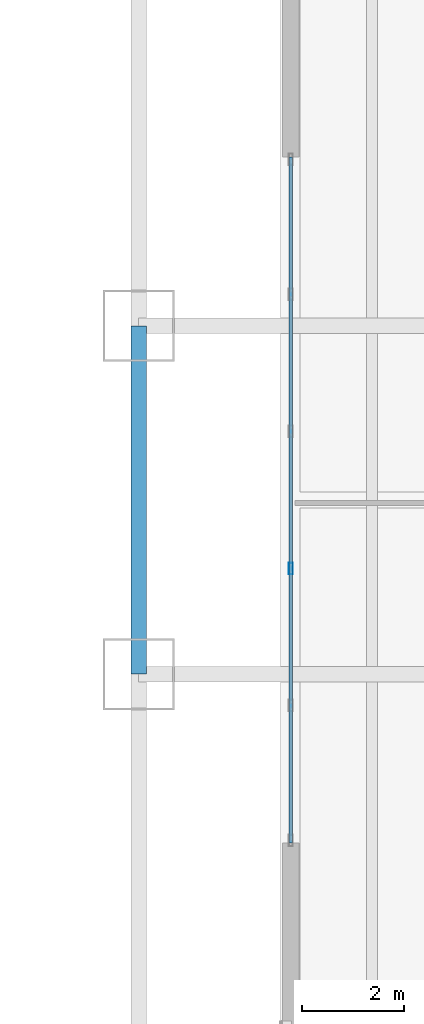
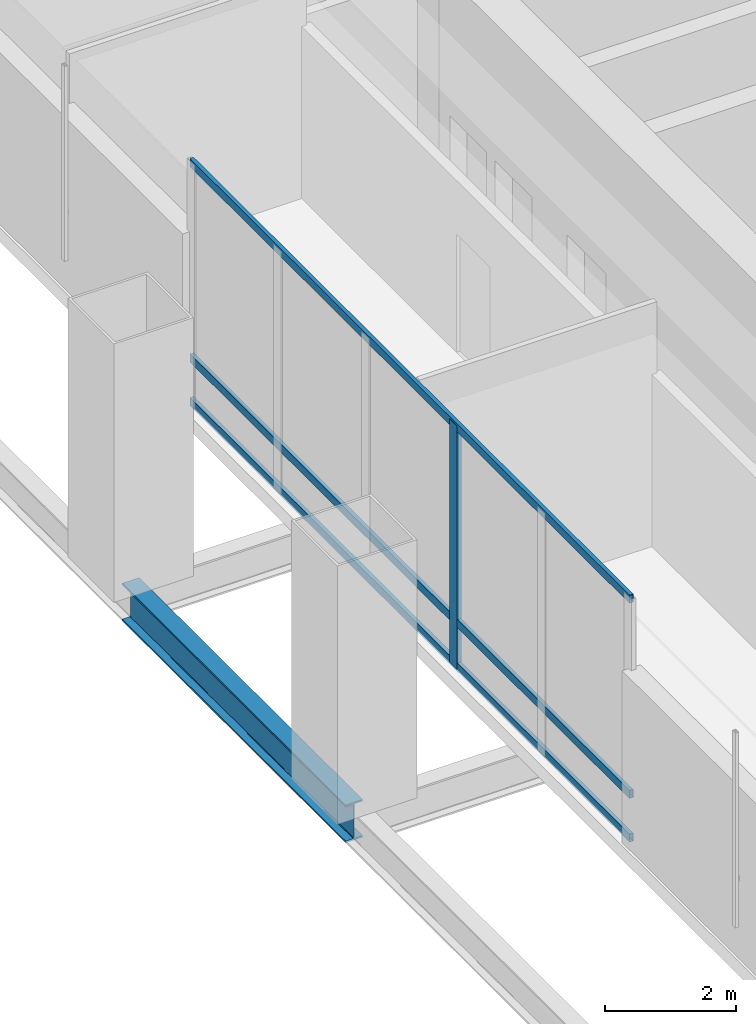
# One storey, part 6 of 30: 4 members, 1 beam, 1 element without a shape of its own.
"""IFC4 building model written with IfcOpenShell, lengths in metres."""

from ifc_helpers import new_model, si_unit, direction, frame, origin, origin_2d, place, context, subcontext, project, spatial, hollow_rectangle, i_section, extrude, material, material_profile, profile_set, type_object, element, aggregate, save


model = new_model("IFC4")

# Units and contexts
model_context = context("Model", 3, precision=1e-05, world=origin(), true_north=direction((0.0, 1.0)))
body_context = subcontext(model_context, "Body", "Model", "MODEL_VIEW")
ifc_project = project(units=[si_unit("LENGTHUNIT", "METRE"), si_unit("AREAUNIT", "SQUARE_METRE"), si_unit("VOLUMEUNIT", "CUBIC_METRE"), si_unit("PLANEANGLEUNIT", "RADIAN"), si_unit("MASSUNIT", "GRAM", prefix="KILO")], contexts=[model_context])

# Site, building, storey
site_placement = place(None, origin())
site = spatial("IfcSite", under=ifc_project, at=site_placement, CompositionType="ELEMENT")
building_placement = place(site_placement, origin())
building = spatial("IfcBuilding", under=site, at=building_placement, Name="Punatoya Terracotta Tower", CompositionType="ELEMENT")
storey_placement = place(building_placement, frame((0.0, 0.0, 135.0)))
storey = spatial("IfcBuildingStorey", under=building, at=storey_placement, Name="L31", CompositionType="ELEMENT", Elevation=135.0)

# Beam
ifc_material_1 = material(Name="Steel S355", Category="steel")
ifc_material_profile_1 = material_profile(ifc_material_1, i_section(OverallWidth=0.300048828125, OverallDepth=0.699951171875, WebThickness=0.01708984375, FlangeThickness=0.031982421875, FilletRadius=0.01806640625, at=origin_2d()))
ifc_profile_set_1 = profile_set([ifc_material_profile_1], Name="Steel S355")
beam_type = type_object("IfcBeamType", Name="BM-PRI-700", PredefinedType="BEAM", material=ifc_profile_set_1)
beam_placement = place(storey_placement, frame((-19.10009765625, -3.39990234375, -0.610107421875), z_axis=(0.0, 1.0, 0.0), x_axis=(-1.0, 0.0, 0.0)))
element("IfcBeam", 1, at=beam_placement, inside=storey, type_object=beam_type, Name="BM-L31-RG-W2", PredefinedType="BEAM", context=body_context, shape_type="SweptSolid", body=[
    extrude(i_section(OverallWidth=0.300048828125, OverallDepth=0.699951171875, WebThickness=0.01708984375, FlangeThickness=0.031982421875, FilletRadius=0.01806640625, at=origin_2d()), origin(), (0.0, 0.0, 1.0), 6.7998046875),
])

# Curtain wall, members
ifc_material_2 = material(Name="Aluminium 6063-T6 + Double Low-E Glass", Category="aluminium")
curtain_wall_type = type_object("IfcCurtainWallType", Name="CW-NCK", PredefinedType="NOTDEFINED", material=ifc_material_2)
curtain_wall_placement = place(storey_placement, origin())
curtain_wall = element("IfcCurtainWall", 2, at=curtain_wall_placement, inside=storey, type_object=curtain_wall_type, Name="L31 Curtain Wall CW-L31-W13-1", PredefinedType="NOTDEFINED")
ifc_material_3 = material(Name="Aluminium 6063-T6", Category="aluminium")
ifc_material_profile_2 = material_profile(ifc_material_3, hollow_rectangle(XDim=0.080078125, YDim=0.22509765625, WallThickness=0.0048828125, at=origin_2d()))
ifc_profile_set_2 = profile_set([ifc_material_profile_2], Name="Aluminium 6063-T6")
member_type_1 = type_object("IfcMemberType", Name="CW-MUL-NCK", PredefinedType="MULLION", material=ifc_profile_set_2)
member_1_placement = place(storey_placement, frame((-16.1298828125, -1.337890625, 0.0), z_axis=(0.0, 0.0, 1.0), x_axis=(1.0, 0.0, 0.0)))
member_1 = element("IfcMember", 3, at=member_1_placement, type_object=member_type_1, Name="CW-L31-W13-1 Mullion 03", PredefinedType="MULLION", context=body_context, shape_type="SweptSolid", body=[
    extrude(hollow_rectangle(XDim=0.080078125, YDim=0.22509765625, WallThickness=0.0048828125, at=origin_2d()), origin(), (0.0, 0.0, 1.0), 4.52001953125),
])
ifc_material_profile_3 = material_profile(ifc_material_3, hollow_rectangle(XDim=0.068115234375, YDim=0.14990234375, WallThickness=0.00390625, at=origin_2d()))
ifc_profile_set_3 = profile_set([ifc_material_profile_3], Name="Aluminium 6063-T6")
member_type_2 = type_object("IfcMemberType", Name="CW-TRN-TYP", PredefinedType="USERDEFINED", material=ifc_profile_set_3)
member_2_placement = place(storey_placement, frame((-16.1298828125, 6.68994140625, 0.0400390625), z_axis=(0.0, -1.0, 0.0), x_axis=(1.0, 0.0, 0.0)))
member_2 = element("IfcMember", 4, at=member_2_placement, type_object=member_type_2, Name="CW-L31-W13-1 Transom 1", ObjectType="TRANSOM", PredefinedType="USERDEFINED", context=body_context, shape_type="SweptSolid", body=[
    extrude(hollow_rectangle(XDim=0.068115234375, YDim=0.14990234375, WallThickness=0.00390625, at=origin_2d()), origin(), (0.0, 0.0, 1.0), 13.3798828125),
])
member_3_placement = place(storey_placement, frame((-16.1298828125, 6.68994140625, 0.85009765625), z_axis=(0.0, -1.0, 0.0), x_axis=(1.0, 0.0, 0.0)))
member_3 = element("IfcMember", 5, at=member_3_placement, type_object=member_type_2, Name="CW-L31-W13-1 Transom 2", ObjectType="TRANSOM", PredefinedType="USERDEFINED", context=body_context, shape_type="SweptSolid", body=[
    extrude(hollow_rectangle(XDim=0.068115234375, YDim=0.14990234375, WallThickness=0.00390625, at=origin_2d()), origin(), (0.0, 0.0, 1.0), 13.3798828125),
])
member_4_placement = place(storey_placement, frame((-16.1298828125, 6.68994140625, 4.47998046875), z_axis=(0.0, -1.0, 0.0), x_axis=(1.0, 0.0, 0.0)))
member_4 = element("IfcMember", 6, at=member_4_placement, type_object=member_type_2, Name="CW-L31-W13-1 Transom 3", ObjectType="TRANSOM", PredefinedType="USERDEFINED", context=body_context, shape_type="SweptSolid", body=[
    extrude(hollow_rectangle(XDim=0.068115234375, YDim=0.14990234375, WallThickness=0.00390625, at=origin_2d()), origin(), (0.0, 0.0, 1.0), 13.3798828125),
])
aggregate(curtain_wall, [member_1, member_2, member_3, member_4])

save(model, "model.ifc")
